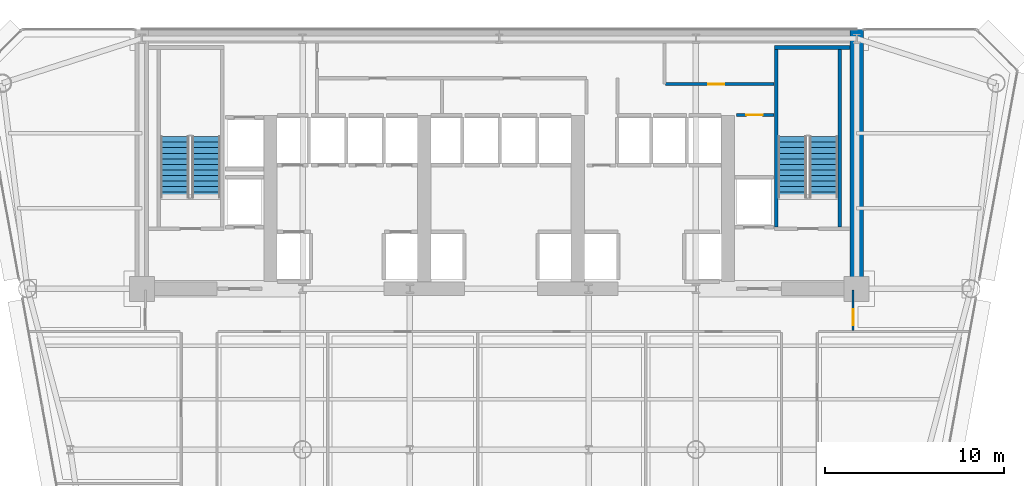
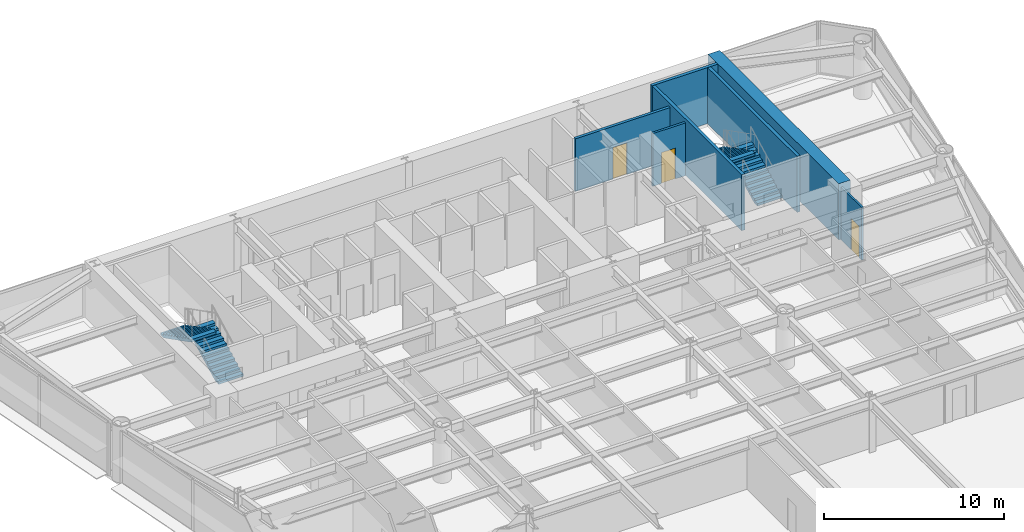
# One storey, part 10 of 14: 7 walls, 4 stair flights, 3 doors, 3 openings, 2 elements without a shape of their own.
"""IFC4 building model written with IfcOpenShell, lengths in metres."""

import ifcopenshell
import ifcopenshell.guid

model = None  # the IFC model being written
_history = None  # IfcOwnerHistory: only IFC2X3 demands one
_inside = {}  # id of a spatial element -> (the spatial element, [elements in it])
_under = {}  # id of a project, library or spatial element -> (it, [spatial elements below it])
_declared = {}  # id of a project -> (the project, [libraries it declares])
_typed = {}  # id of a type object -> (the type object, [elements of that type])
_made_of = {}  # id of a material, layer set ... -> (it, [elements and type objects made of it])


def new_model(schema):
    """Start an empty IFC model of exactly this schema.

    Asked for "IFC4X3", IfcOpenShell would pick the latest addendum, in which some entities
    have other attributes; the version numbers below select the first issue.
    IFC2X3 requires an IfcOwnerHistory on every rooted entity: one is made here for all.
    """
    global model, _history
    if schema == "IFC4X3":
        model = ifcopenshell.file(schema_version=(4, 3, 0, 0))
    else:
        model = ifcopenshell.file(schema=schema)
    _inside.clear()
    _under.clear()
    _declared.clear()
    _typed.clear()
    _made_of.clear()
    _history = None
    if model.schema == "IFC2X3":
        org = make("IfcOrganization", Name="unknown")
        user = make(
            "IfcPersonAndOrganization",
            ThePerson=make("IfcPerson", FamilyName="unknown"),
            TheOrganization=org,
        )
        app = make(
            "IfcApplication",
            ApplicationDeveloper=org,
            Version="unknown",
            ApplicationFullName="unknown",
            ApplicationIdentifier="unknown",
        )
        _history = make(
            "IfcOwnerHistory",
            OwningUser=user,
            OwningApplication=app,
            ChangeAction="ADDED",
            CreationDate=0,
        )
    return model


def make(cls, **values):
    """One entity of the class cls with the attributes given. An attribute that is None is left unset."""
    return model.create_entity(
        cls, **{name: value for name, value in values.items() if value is not None}
    )


def rooted(cls, **values):
    """An entity with a GlobalId (a new one), such as an element, a storey or a relation."""
    return make(cls, GlobalId=ifcopenshell.guid.new(), OwnerHistory=_history, **values)


def si_unit(unit_type, name, prefix=None):
    """IfcSIUnit, for example si_unit("LENGTHUNIT", "METRE", prefix="MILLI")."""
    return make("IfcSIUnit", UnitType=unit_type, Prefix=prefix, Name=name)


def assignment(units):
    """IfcUnitAssignment: the units of a project."""
    return None if units is None else make("IfcUnitAssignment", Units=units)


def point(xyz):
    """IfcCartesianPoint."""
    return None if xyz is None else make("IfcCartesianPoint", Coordinates=xyz)


def direction(xyz):
    """IfcDirection."""
    return None if xyz is None else make("IfcDirection", DirectionRatios=xyz)


def frame(location, z_axis=None, x_axis=None):
    """IfcAxis2Placement3D, a coordinate frame: its origin and axes. An axis left out is left unset."""
    return make(
        "IfcAxis2Placement3D",
        Location=point(location),
        Axis=direction(z_axis),
        RefDirection=direction(x_axis),
    )


def frame_2d(location, x_axis=None):
    """IfcAxis2Placement2D, a coordinate frame in the plane: its origin and x axis."""
    return make(
        "IfcAxis2Placement2D", Location=point(location), RefDirection=direction(x_axis)
    )


def origin():
    """The frame at (0, 0, 0) with its axes left unset."""
    return frame((0.0, 0.0, 0.0))


def place(relative_to, where):
    """IfcLocalPlacement: puts the frame where relative to a parent placement (None: the world)."""
    return make(
        "IfcLocalPlacement", PlacementRelTo=relative_to, RelativePlacement=where
    )


def context(
    kind, dimensions, precision=None, world=None, true_north=None, identifier=None
):
    """IfcGeometricRepresentationContext, for example the 3D "Model" context."""
    return make(
        "IfcGeometricRepresentationContext",
        ContextIdentifier=identifier,
        ContextType=kind,
        CoordinateSpaceDimension=dimensions,
        Precision=precision,
        WorldCoordinateSystem=world,
        TrueNorth=true_north,
    )


def subcontext(parent, identifier, kind, view, scale=None):
    """IfcGeometricRepresentationSubContext, for example "Body" below "Model"."""
    return make(
        "IfcGeometricRepresentationSubContext",
        ContextIdentifier=identifier,
        ContextType=kind,
        ParentContext=parent,
        TargetScale=scale,
        TargetView=view,
    )


def project(units=None, contexts=None):
    """IfcProject with its units and contexts."""
    return rooted(
        "IfcProject",
        Name="project",
        RepresentationContexts=contexts,
        UnitsInContext=assignment(units),
    )


def spatial(cls, under=None, at=None, **own):
    """A site, building, storey or space (cls), placed at a placement, below another one or the project."""
    s = rooted(cls, ObjectPlacement=at, **own)
    if under is not None:
        _under.setdefault(under.id(), (under, []))[1].append(s)
    return s


def polyline(points):
    """IfcPolyline through the points."""
    return make("IfcPolyline", Points=[point(p) for p in points])


def profile(cls, at=None, kind="AREA", **sizes):
    """A parametric profile (cls). Its sizes go by their IFC names, for example OverallWidth=200.0."""
    return make(cls, ProfileType=kind, Position=at, **sizes)


def rectangle(**sizes):
    """IfcRectangleProfileDef."""
    return profile("IfcRectangleProfileDef", **sizes)


def outline(outer, holes=None, kind="AREA"):
    """IfcArbitraryClosedProfileDef: a profile drawn as a closed curve; with holes, ...WithVoids."""
    if holes is None:
        return make("IfcArbitraryClosedProfileDef", ProfileType=kind, OuterCurve=outer)
    return make(
        "IfcArbitraryProfileDefWithVoids",
        ProfileType=kind,
        OuterCurve=outer,
        InnerCurves=holes,
    )


def extrude(swept, where, along, depth):
    """IfcExtrudedAreaSolid: the profile swept, set in the frame where, extruded along a direction by depth."""
    return make(
        "IfcExtrudedAreaSolid",
        SweptArea=swept,
        Position=where,
        ExtrudedDirection=direction(along),
        Depth=depth,
    )


def shape(context_of_items, identifier, shape_type, items):
    """IfcShapeRepresentation: the items that make up one representation, for example the "Body"."""
    return make(
        "IfcShapeRepresentation",
        ContextOfItems=context_of_items,
        RepresentationIdentifier=identifier,
        RepresentationType=shape_type,
        Items=items,
    )


def source(mapping_origin, context_of_items, identifier, shape_type, items):
    """IfcRepresentationMap: a shape defined once, which mapped items show again and again."""
    return make(
        "IfcRepresentationMap",
        MappingOrigin=mapping_origin,
        MappedRepresentation=shape(context_of_items, identifier, shape_type, items),
    )


def transform(
    local_origin,
    x_axis=None,
    y_axis=None,
    z_axis=None,
    scale=None,
    scale2=None,
    scale3=None,
    uniform=True,
):
    """IfcCartesianTransformationOperator3D, or its non-uniform kind. x_axis, y_axis, z_axis: its Axis1, 2, 3."""
    if uniform:
        return make(
            "IfcCartesianTransformationOperator3D",
            Axis1=direction(x_axis),
            Axis2=direction(y_axis),
            LocalOrigin=point(local_origin),
            Scale=scale,
            Axis3=direction(z_axis),
        )
    return make(
        "IfcCartesianTransformationOperator3DnonUniform",
        Axis1=direction(x_axis),
        Axis2=direction(y_axis),
        LocalOrigin=point(local_origin),
        Scale=scale,
        Axis3=direction(z_axis),
        Scale2=scale2,
        Scale3=scale3,
    )


def mapped(mapping_source, mapping_target):
    """IfcMappedItem: shows the shape of a source again, moved by a transform."""
    return make(
        "IfcMappedItem", MappingSource=mapping_source, MappingTarget=mapping_target
    )


def material(Name=None, Category=None):
    """IfcMaterial."""
    return make("IfcMaterial", Name=Name, Category=Category)


def layer(
    of_material, thickness, ventilated=None, Name=None, Category=None, Priority=None
):
    """IfcMaterialLayer: one layer of a wall or slab, of a material (None: an air gap)."""
    return make(
        "IfcMaterialLayer",
        Material=of_material,
        LayerThickness=thickness,
        IsVentilated=ventilated,
        Name=Name,
        Category=Category,
        Priority=Priority,
    )


def layer_set(layers, Name=None):
    """IfcMaterialLayerSet."""
    return make("IfcMaterialLayerSet", MaterialLayers=layers, LayerSetName=Name)


def made_of(thing, what):
    """Note that an element or type object is made of a material, layer set ...; save() writes the relation."""
    if what is not None:
        _made_of.setdefault(what.id(), (what, []))[1].append(thing)
    return thing


def type_object(cls, material=None, **own):
    """A type object (cls), such as IfcWallType, which elements share."""
    return made_of(rooted(cls, **own), material)


def element(
    cls,
    number,
    at=None,
    inside=None,
    cuts=None,
    type_object=None,
    material=None,
    context=None,
    identifier="Body",
    shape_type=None,
    held_by="IfcProductDefinitionShape",
    body=None,
    shapes=None,
    **own,
):
    """One element of the class cls, such as IfcWall. Its Tag is "e" and its number.

    at: its placement. inside: the storey or other place that contains it. cuts: it is an
    opening in that element (IfcRelVoidsElement). A single representation is given by context,
    identifier, shape_type and body (its items); several are given by shapes. held_by: the class
    of the entity that holds the representations. save() writes the other relations.
    """
    e = rooted(cls, Tag="e%d" % number, ObjectPlacement=at, **own)
    if body is not None:
        shapes = [shape(context, identifier, shape_type, body)]
    if shapes is not None:
        e.Representation = make(held_by, Representations=shapes)
    if inside is not None:
        _inside.setdefault(inside.id(), (inside, []))[1].append(e)
    if cuts is not None:
        rooted(
            "IfcRelVoidsElement", RelatingBuildingElement=cuts, RelatedOpeningElement=e
        )
    if type_object is not None:
        _typed.setdefault(type_object.id(), (type_object, []))[1].append(e)
    return made_of(e, material)


def fill(opening, filler):
    """IfcRelFillsElement: the door or window that sits in an opening."""
    return rooted(
        "IfcRelFillsElement",
        RelatingOpeningElement=opening,
        RelatedBuildingElement=filler,
    )


def aggregate(whole, parts):
    """IfcRelAggregates: a whole, such as a stair, and the parts it consists of."""
    return rooted("IfcRelAggregates", RelatingObject=whole, RelatedObjects=parts)


def save(model, path):
    """Write the relations noted so far, then the file.

    IfcRelAggregates (storeys below a building ...), IfcRelContainedInSpatialStructure (elements
    in a storey), IfcRelDefinesByType, IfcRelAssociatesMaterial and IfcRelDeclares: one each for
    every whole, place, type object, material and project.
    """
    for whole, parts in _under.values():
        aggregate(whole, parts)
    for where, things in _inside.values():
        rooted(
            "IfcRelContainedInSpatialStructure",
            RelatedElements=things,
            RelatingStructure=where,
        )
    for kind, things in _typed.values():
        rooted("IfcRelDefinesByType", RelatedObjects=things, RelatingType=kind)
    for what, things in _made_of.values():
        rooted("IfcRelAssociatesMaterial", RelatedObjects=things, RelatingMaterial=what)
    for by, libraries in _declared.values():
        rooted("IfcRelDeclares", RelatingContext=by, RelatedDefinitions=libraries)
    model.write(path)


model = new_model("IFC4")

# Units and contexts
model_context = context("Model", 3, precision=1e-05, world=origin(), true_north=direction((0.0, 1.0)))
body_context = subcontext(model_context, "Body", "Model", "MODEL_VIEW")
ifc_project = project(units=[si_unit("LENGTHUNIT", "METRE"), si_unit("AREAUNIT", "SQUARE_METRE"), si_unit("VOLUMEUNIT", "CUBIC_METRE"), si_unit("PLANEANGLEUNIT", "RADIAN"), si_unit("MASSUNIT", "GRAM", prefix="KILO")], contexts=[model_context])

# Site, building, storey
site_placement = place(None, origin())
site = spatial("IfcSite", under=ifc_project, at=site_placement, CompositionType="ELEMENT")
building_placement = place(site_placement, origin())
building = spatial("IfcBuilding", under=site, at=building_placement, Name="Vaeldorn Concourse Tower", CompositionType="ELEMENT")
storey_placement = place(building_placement, frame((0.0, 0.0, 92.0)))
storey = spatial("IfcBuildingStorey", under=building, at=storey_placement, Name="L23", CompositionType="ELEMENT", Elevation=92.0)

# Wall
ifc_material_1 = material(Name="Concrete C60/75", Category="concrete")
ifc_layer_1 = layer(ifc_material_1, 0.75)
ifc_layer_set_1 = layer_set([ifc_layer_1], Name="Concrete C60/75")
wall_type_1 = type_object("IfcWallType", Name="WL-CORE-750", PredefinedType="SHEAR", material=ifc_layer_set_1)
wall_1_placement = place(storey_placement, frame((54.0, 36.5, 0.0), z_axis=(0.0, 0.0, 1.0), x_axis=(0.0, 1.0, 0.0)))
element("IfcWall", 1, at=wall_1_placement, inside=storey, type_object=wall_type_1, Name="Rear Core Shear Wall L23 E1", PredefinedType="SHEAR", context=body_context, shape_type="SweptSolid", body=[
    extrude(rectangle(XDim=14.5, YDim=0.75, at=frame_2d((7.25, 0.0))), origin(), (0.0, 0.0, 1.0), 3.800048828125),
])

# Wall, opening, door
ifc_material_2 = material(Name="Gypsum Board Partition", Category="gypsum")
ifc_layer_2 = layer(ifc_material_2, 0.1201171875)
ifc_layer_set_2 = layer_set([ifc_layer_2], Name="Gypsum Board Partition")
wall_type_2 = type_object("IfcWallType", Name="WL-PART-120", PredefinedType="PARTITIONING", material=ifc_layer_set_2)
wall_2_placement = place(storey_placement, frame((53.800048828125, 34.159912109375, 0.0), z_axis=(0.0, 0.0, 1.0), x_axis=(0.0, 1.0, 0.0)))
wall_2 = element("IfcWall", 2, at=wall_2_placement, inside=storey, type_object=wall_type_2, Name="Interior Wall PW-L23-CEET", PredefinedType="PARTITIONING", context=body_context, shape_type="SweptSolid", body=[
    extrude(rectangle(XDim=2.280029296875, YDim=0.1201171875, at=frame_2d((1.14013671875, 0.0))), origin(), (0.0, 0.0, 1.0), 3.580078125),
])
opening_1_placement = place(wall_2_placement, frame((0.300048828125, 0.0, 0.0)))
opening_1 = element("IfcOpeningElement", 3, at=opening_1_placement, cuts=wall_2, Name="Opening D-03", PredefinedType="OPENING", context=body_context, shape_type="SweptSolid", body=[
    extrude(rectangle(XDim=0.89990234375, YDim=2.14990234375, at=frame_2d((0.449951171875, 1.074951171875))), frame((0.0, 0.070068359375, 0.0), z_axis=(0.0, -1.0, 0.0), x_axis=(1.0, 0.0, 0.0)), (0.0, 0.0, 1.0), 0.14013671875),
])
ifc_material_3 = material(Name="Acoustic Bronze-Framed Glass Door", Category="glass")
door_type_1 = type_object("IfcDoorType", Name="DR-INT-900", OperationType="NOTDEFINED", PredefinedType="DOOR", material=ifc_material_3)
shared_shape_1 = source(origin(), body_context, "Body", "SweptSolid", [
    extrude(rectangle(XDim=0.89990234375, YDim=2.14990234375, at=frame_2d((0.449951171875, 1.074951171875))), frame((0.0, 0.02490234375, 0.0), z_axis=(0.0, -1.0, 0.0), x_axis=(1.0, 0.0, 0.0)), (0.0, 0.0, 1.0), 0.050048828125),
])
door_1_placement = place(opening_1_placement, origin())
door_1 = element("IfcDoor", 4, at=door_1_placement, inside=storey, type_object=door_type_1, Name="Interior Door DR-L23-NE1", OperationType="SINGLE_SWING_RIGHT", OverallHeight=2.14990234375, OverallWidth=0.89990234375, PredefinedType="DOOR", context=body_context, shape_type="MappedRepresentation", body=[
    mapped(shared_shape_1, transform((0.0, 0.0, 0.0), scale=1.0)),
])
fill(opening_1, door_1)

ifc_layer_3 = layer(ifc_material_2, 0.14990234375)
ifc_layer_set_3 = layer_set([ifc_layer_3], Name="Gypsum Board Partition")
wall_type_3 = type_object("IfcWallType", Name="WL-PART-150", PredefinedType="PARTITIONING", material=ifc_layer_set_3)
wall_3_placement = place(storey_placement, frame((47.280029296875, 46.219970703125, 0.0), z_axis=(0.0, 0.0, 1.0), x_axis=(1.0, 0.0, 0.0)))
wall_3 = element("IfcWall", 5, at=wall_3_placement, inside=storey, type_object=wall_type_3, Name="Interior Wall CW-L23-CRSE-N", PredefinedType="PARTITIONING", context=body_context, shape_type="SweptSolid", body=[
    extrude(rectangle(XDim=2.099853515625, YDim=0.14990234375, at=frame_2d((1.0498046875, 0.0))), origin(), (0.0, 0.0, 1.0), 3.580078125),
])
opening_2_placement = place(wall_3_placement, frame((0.550048828125, 0.0, 0.0)))
opening_2 = element("IfcOpeningElement", 6, at=opening_2_placement, cuts=wall_3, Name="Opening D-02", PredefinedType="OPENING", context=body_context, shape_type="SweptSolid", body=[
    extrude(rectangle(XDim=0.89990234375, YDim=2.10009765625, at=frame_2d((0.449951171875, 1.050048828125))), frame((0.0, 0.0849609375, 0.0), z_axis=(0.0, -1.0, 0.0), x_axis=(1.0, 0.0, 0.0)), (0.0, 0.0, 1.0), 0.169921875),
])
ifc_material_4 = material(Name="Fire-Rated Timber Leaf", Category="wood")
door_type_2 = type_object("IfcDoorType", Name="DR-FD30-900", OperationType="NOTDEFINED", PredefinedType="DOOR", material=ifc_material_4)
shared_shape_2 = source(origin(), body_context, "Body", "SweptSolid", [
    extrude(rectangle(XDim=0.89990234375, YDim=2.10009765625, at=frame_2d((0.449951171875, 1.050048828125))), frame((0.0, 0.02490234375, 0.0), z_axis=(0.0, -1.0, 0.0), x_axis=(1.0, 0.0, 0.0)), (0.0, 0.0, 1.0), 0.050048828125),
])
door_2_placement = place(opening_2_placement, origin())
door_2 = element("IfcDoor", 7, at=door_2_placement, inside=storey, type_object=door_type_2, Name="Interior Door DR-L23-CRSE", OperationType="SINGLE_SWING_RIGHT", OverallHeight=2.10009765625, OverallWidth=0.89990234375, PredefinedType="DOOR", context=body_context, shape_type="MappedRepresentation", body=[
    mapped(shared_shape_2, transform((0.0, 0.0, 0.0), scale=1.0)),
])
fill(opening_2, door_2)

ifc_layer_4 = layer(ifc_material_2, 0.179931640625)
ifc_layer_set_4 = layer_set([ifc_layer_4], Name="Gypsum Board Partition")
wall_type_4 = type_object("IfcWallType", Name="WL-PLUMB-180", PredefinedType="PLUMBINGWALL", material=ifc_layer_set_4)
wall_4_placement = place(storey_placement, frame((43.300048828125, 47.949951171875, 0.0), z_axis=(0.0, 0.0, 1.0), x_axis=(1.0, 0.0, 0.0)))
wall_4 = element("IfcWall", 8, at=wall_4_placement, inside=storey, type_object=wall_type_4, Name="Interior Wall CW-L23-NS2EE", PredefinedType="PLUMBINGWALL", context=body_context, shape_type="SweptSolid", body=[
    extrude(rectangle(XDim=6.079833984375, YDim=0.179931640625, at=frame_2d((3.0400390625, 0.0))), origin(), (0.0, 0.0, 1.0), 3.580078125),
])
opening_3_placement = place(wall_4_placement, frame((2.39990234375, 0.0, 0.0)))
opening_3 = element("IfcOpeningElement", 9, at=opening_3_placement, cuts=wall_4, Name="Opening D-03", PredefinedType="OPENING", context=body_context, shape_type="SweptSolid", body=[
    extrude(rectangle(XDim=0.89990234375, YDim=2.14990234375, at=frame_2d((0.449951171875, 1.074951171875))), frame((0.0, 0.10009765625, 0.0), z_axis=(0.0, -1.0, 0.0), x_axis=(1.0, 0.0, 0.0)), (0.0, 0.0, 1.0), 0.199951171875),
])
door_3_placement = place(opening_3_placement, origin())
door_3 = element("IfcDoor", 10, at=door_3_placement, inside=storey, type_object=door_type_1, Name="Interior Door DR-L23-CS5", OperationType="SINGLE_SWING_RIGHT", OverallHeight=2.14990234375, OverallWidth=0.89990234375, PredefinedType="DOOR", context=body_context, shape_type="MappedRepresentation", body=[
    mapped(shared_shape_1, transform((0.0, 0.0, 0.0), scale=1.0)),
])
fill(opening_3, door_3)

# Walls
ifc_material_5 = material(Name="Concrete C50/60", Category="concrete")
ifc_layer_5 = layer(ifc_material_5, 0.199951171875)
ifc_layer_set_5 = layer_set([ifc_layer_5], Name="Concrete C50/60")
wall_type_5 = type_object("IfcWallType", Name="WL-SHAFT-200", PredefinedType="SOLIDWALL", material=ifc_layer_set_5)
wall_5_placement = place(storey_placement, frame((49.39990234375, 50.0, 0.0), z_axis=(0.0, 0.0, 1.0), x_axis=(1.0, 0.0, 0.0)))
element("IfcWall", 11, at=wall_5_placement, inside=storey, type_object=wall_type_5, Name="Stair Shaft Wall CW-L23-ST-2-N", PredefinedType="SOLIDWALL", context=body_context, shape_type="SweptSolid", body=[
    extrude(rectangle(XDim=4.22509765625, YDim=0.199951171875, at=frame_2d((2.112548828125, 0.0))), origin(), (0.0, 0.0, 1.0), 3.800048828125),
])
for number, where, z_axis, x_axis, name in (
    (12, (49.5, 39.9599609375, 0.0), (0.0, 0.0, 1.0), (0.0, 1.0, 0.0), "Stair Shaft Wall CW-L23-ST-2-W"),
    (13, (53.050048828125, 39.9599609375, 0.0), (0.0, 0.0, 1.0), (0.0, 1.0, 0.0), "Stair Shaft Wall CW-L23-ST-2-E"),
):
    element("IfcWall", number, at=place(storey_placement, frame(where, z_axis=z_axis, x_axis=x_axis)), inside=storey, type_object=wall_type_5, Name=name, PredefinedType="SOLIDWALL", context=body_context, shape_type="SweptSolid", body=[
        extrude(rectangle(XDim=9.929931640625, YDim=0.199951171875, at=frame_2d((4.96484375, 0.0))), origin(), (0.0, 0.0, 1.0), 3.800048828125),
    ])

# Stair, stair flights
ifc_material_6 = material(Name="Precast concrete C40/50", Category="concrete")
stair_type = type_object("IfcStairType", Name="STR-DOG-24x158", PredefinedType="HALF_TURN_STAIR", material=ifc_material_6)
stair_1_placement = place(storey_placement, origin())
stair_1 = element("IfcStair", 14, at=stair_1_placement, inside=storey, type_object=stair_type, Name="L23 West Core Exit Stair ST-1", PredefinedType="HALF_TURN_STAIR")
stair_flight_type = type_object("IfcStairFlightType", Name="STF-STR-12x158", PredefinedType="STRAIGHT", material=ifc_material_6)
stair_flight_1_placement = place(storey_placement, frame((17.60009765625, 41.60009765625, 0.0), z_axis=(0.0, 0.0, 1.0), x_axis=(0.0, 1.0, 0.0)))
stair_flight_1 = element("IfcStairFlight", 15, at=stair_flight_1_placement, type_object=stair_flight_type, Name="ST-1 flight 1", NumberOfRisers=12, NumberOfTreads=11, PredefinedType="STRAIGHT", RiserHeight=0.158333333, TreadLength=0.31, context=body_context, shape_type="SweptSolid", body=[
    extrude(outline(polyline([(0.0, 0.0), (0.0, 0.158447265625), (0.31005859375, 0.158447265625), (0.31005859375, 0.316650390625), (0.6201171875, 0.316650390625), (0.6201171875, 0.47509765625), (0.929931640625, 0.47509765625), (0.929931640625, 0.63330078125), (1.239990234375, 0.63330078125), (1.239990234375, 0.791748046875), (1.550048828125, 0.791748046875), (1.550048828125, 0.949951171875), (1.860107421875, 0.949951171875), (1.860107421875, 1.1083984375), (2.169921875, 1.1083984375), (2.169921875, 1.2666015625), (2.47998046875, 1.2666015625), (2.47998046875, 1.425048828125), (2.7900390625, 1.425048828125), (2.7900390625, 1.583251953125), (3.10009765625, 1.583251953125), (3.10009765625, 1.74169921875), (3.409912109375, 1.74169921875), (3.409912109375, 1.89990234375), (3.409912109375, 1.5732421875), (0.32958984375, 0.0), (0.0, 0.0)])), frame((0.0, 0.800048828125, 0.0), z_axis=(0.0, -1.0, 0.0), x_axis=(1.0, 0.0, 0.0)), (0.0, 0.0, 1.0), 1.60009765625),
])
stair_flight_2_placement = place(storey_placement, frame((15.85009765625, 45.010009765625, 1.89990234375), z_axis=(0.0, 0.0, 1.0), x_axis=(0.0, -1.0, 0.0)))
stair_flight_2 = element("IfcStairFlight", 16, at=stair_flight_2_placement, type_object=stair_flight_type, Name="ST-1 flight 2", NumberOfRisers=12, NumberOfTreads=11, PredefinedType="STRAIGHT", RiserHeight=0.158333333, TreadLength=0.31, context=body_context, shape_type="SweptSolid", body=[
    extrude(outline(polyline([(0.0, 0.0), (0.0, 0.158447265625), (0.31005859375, 0.158447265625), (0.31005859375, 0.316650390625), (0.6201171875, 0.316650390625), (0.6201171875, 0.47509765625), (0.929931640625, 0.47509765625), (0.929931640625, 0.63330078125), (1.239990234375, 0.63330078125), (1.239990234375, 0.791748046875), (1.550048828125, 0.791748046875), (1.550048828125, 0.949951171875), (1.860107421875, 0.949951171875), (1.860107421875, 1.1083984375), (2.169921875, 1.1083984375), (2.169921875, 1.2666015625), (2.47998046875, 1.2666015625), (2.47998046875, 1.425048828125), (2.7900390625, 1.425048828125), (2.7900390625, 1.583251953125), (3.10009765625, 1.583251953125), (3.10009765625, 1.74169921875), (3.409912109375, 1.74169921875), (3.409912109375, 1.89990234375), (3.409912109375, 1.5732421875), (0.32958984375, 0.0), (0.0, 0.0)])), frame((0.0, 0.800048828125, 0.0), z_axis=(0.0, -1.0, 0.0), x_axis=(1.0, 0.0, 0.0)), (0.0, 0.0, 1.0), 1.60009765625),
])
aggregate(stair_1, [stair_flight_1, stair_flight_2])

stair_2_placement = place(storey_placement, origin())
stair_2 = element("IfcStair", 17, at=stair_2_placement, inside=storey, type_object=stair_type, Name="L23 East Core Exit Stair ST-2", PredefinedType="HALF_TURN_STAIR")
stair_flight_3_placement = place(storey_placement, frame((52.14990234375, 41.60009765625, 0.0), z_axis=(0.0, 0.0, 1.0), x_axis=(0.0, 1.0, 0.0)))
stair_flight_3 = element("IfcStairFlight", 18, at=stair_flight_3_placement, type_object=stair_flight_type, Name="ST-2 flight 1", NumberOfRisers=12, NumberOfTreads=11, PredefinedType="STRAIGHT", RiserHeight=0.158333333, TreadLength=0.31, context=body_context, shape_type="SweptSolid", body=[
    extrude(outline(polyline([(0.0, 0.0), (0.0, 0.158447265625), (0.31005859375, 0.158447265625), (0.31005859375, 0.316650390625), (0.6201171875, 0.316650390625), (0.6201171875, 0.47509765625), (0.929931640625, 0.47509765625), (0.929931640625, 0.63330078125), (1.239990234375, 0.63330078125), (1.239990234375, 0.791748046875), (1.550048828125, 0.791748046875), (1.550048828125, 0.949951171875), (1.860107421875, 0.949951171875), (1.860107421875, 1.1083984375), (2.169921875, 1.1083984375), (2.169921875, 1.2666015625), (2.47998046875, 1.2666015625), (2.47998046875, 1.425048828125), (2.7900390625, 1.425048828125), (2.7900390625, 1.583251953125), (3.10009765625, 1.583251953125), (3.10009765625, 1.74169921875), (3.409912109375, 1.74169921875), (3.409912109375, 1.89990234375), (3.409912109375, 1.5732421875), (0.32958984375, 0.0), (0.0, 0.0)])), frame((0.0, 0.800048828125, 0.0), z_axis=(0.0, -1.0, 0.0), x_axis=(1.0, 0.0, 0.0)), (0.0, 0.0, 1.0), 1.60009765625),
])
stair_flight_4_placement = place(storey_placement, frame((50.39990234375, 45.010009765625, 1.89990234375), z_axis=(0.0, 0.0, 1.0), x_axis=(0.0, -1.0, 0.0)))
stair_flight_4 = element("IfcStairFlight", 19, at=stair_flight_4_placement, type_object=stair_flight_type, Name="ST-2 flight 2", NumberOfRisers=12, NumberOfTreads=11, PredefinedType="STRAIGHT", RiserHeight=0.158333333, TreadLength=0.31, context=body_context, shape_type="SweptSolid", body=[
    extrude(outline(polyline([(0.0, 0.0), (0.0, 0.158447265625), (0.31005859375, 0.158447265625), (0.31005859375, 0.316650390625), (0.6201171875, 0.316650390625), (0.6201171875, 0.47509765625), (0.929931640625, 0.47509765625), (0.929931640625, 0.63330078125), (1.239990234375, 0.63330078125), (1.239990234375, 0.791748046875), (1.550048828125, 0.791748046875), (1.550048828125, 0.949951171875), (1.860107421875, 0.949951171875), (1.860107421875, 1.1083984375), (2.169921875, 1.1083984375), (2.169921875, 1.2666015625), (2.47998046875, 1.2666015625), (2.47998046875, 1.425048828125), (2.7900390625, 1.425048828125), (2.7900390625, 1.583251953125), (3.10009765625, 1.583251953125), (3.10009765625, 1.74169921875), (3.409912109375, 1.74169921875), (3.409912109375, 1.89990234375), (3.409912109375, 1.5732421875), (0.32958984375, 0.0), (0.0, 0.0)])), frame((0.0, 0.800048828125, 0.0), z_axis=(0.0, -1.0, 0.0), x_axis=(1.0, 0.0, 0.0)), (0.0, 0.0, 1.0), 1.60009765625),
])
aggregate(stair_2, [stair_flight_3, stair_flight_4])

save(model, "model.ifc")
